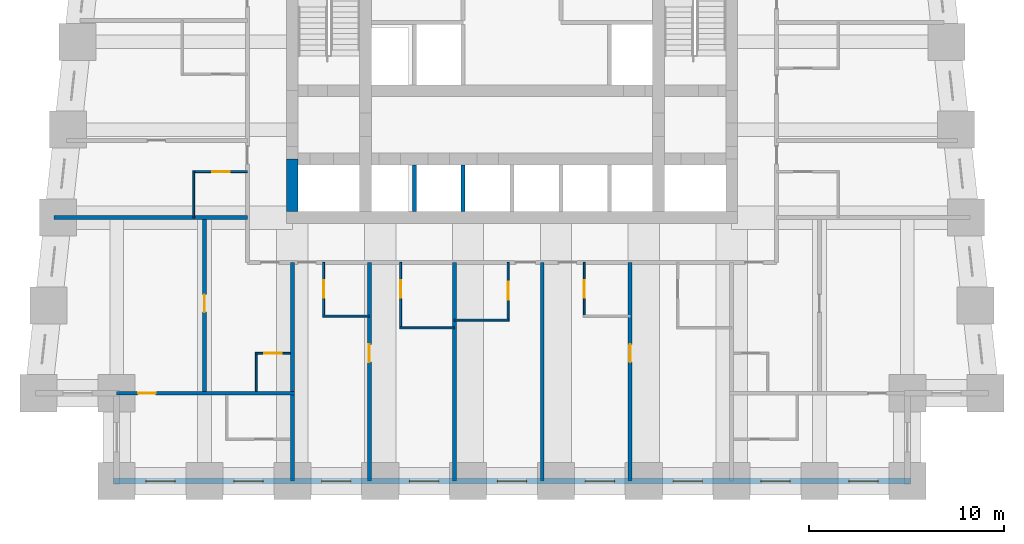
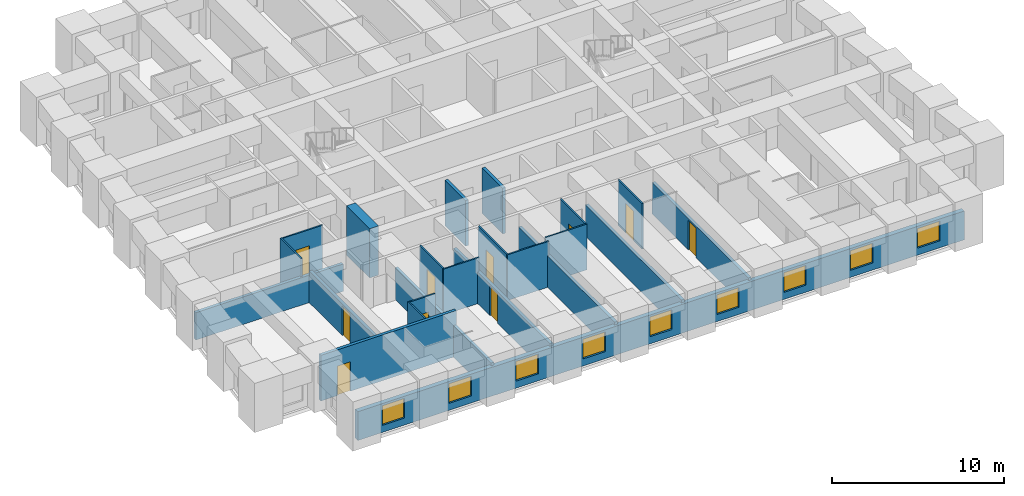
# One storey, part 2 of 8: 23 walls, 10 doors, 9 windows, 19 openings.
"""IFC4 building model written with IfcOpenShell, lengths in metres."""

from ifc_helpers import new_model, si_unit, direction, frame, frame_2d, origin, place, context, subcontext, project, spatial, rectangle, extrude, material, layer, layer_set, type_object, element, fill, save


model = new_model("IFC4")

# Units and contexts
model_context = context("Model", 3, precision=1e-05, world=origin(), true_north=direction((0.0, 1.0)))
body_context = subcontext(model_context, "Body", "Model", "MODEL_VIEW")
ifc_project = project(units=[si_unit("LENGTHUNIT", "METRE"), si_unit("AREAUNIT", "SQUARE_METRE"), si_unit("VOLUMEUNIT", "CUBIC_METRE"), si_unit("PLANEANGLEUNIT", "RADIAN"), si_unit("MASSUNIT", "GRAM", prefix="KILO")], contexts=[model_context])

# Site, building, storey
site_placement = place(None, origin())
site = spatial("IfcSite", under=ifc_project, at=site_placement, CompositionType="ELEMENT")
building_placement = place(site_placement, origin())
building = spatial("IfcBuilding", under=site, at=building_placement, Name="Kilele Tower Hotel", CompositionType="ELEMENT")
storey_placement = place(building_placement, frame((0.0, 0.0, 57.699951171875)))
storey = spatial("IfcBuildingStorey", under=building, at=storey_placement, Name="L13", CompositionType="ELEMENT", Elevation=57.699951171875)

# Wall
ifc_material_1 = material(Name="Moisture-resistant board")
ifc_layer_1 = layer(ifc_material_1, 0.10009765625)
ifc_layer_set_1 = layer_set([ifc_layer_1], Name="Moisture-resistant board")
wall_type_1 = type_object("IfcWallType", Name="Bathroom partition 100", PredefinedType="PLUMBINGWALL", material=ifc_layer_set_1)
wall_1_placement = place(storey_placement, frame((15.050048828125, 8.449951171875, 0.0), z_axis=(0.0, 0.0, 1.0), x_axis=(1.0, 0.0, 0.0)))
element("IfcWall", 1, at=wall_1_placement, inside=storey, type_object=wall_type_1, Name="Bathroom partition 100 L13", PredefinedType="PLUMBINGWALL", context=body_context, shape_type="SweptSolid", body=[
    extrude(rectangle(XDim=2.39990234375, YDim=0.10009765625, at=frame_2d((1.199951171875, 0.0))), origin(), (0.0, 0.0, 1.0), 3.25),
])

# Wall, opening, door
wall_2_placement = place(storey_placement, frame((15.10009765625, 11.199951171875, 0.0), z_axis=(0.0, 0.0, 1.0), x_axis=(0.0, -1.0, 0.0)))
wall_2 = element("IfcWall", 2, at=wall_2_placement, inside=storey, type_object=wall_type_1, Name="Bathroom partition 100 L13", PredefinedType="PLUMBINGWALL", context=body_context, shape_type="SweptSolid", body=[
    extrude(rectangle(XDim=2.800048828125, YDim=0.10009765625, at=frame_2d((1.39990234375, 0.0))), origin(), (0.0, 0.0, 1.0), 3.25),
])
opening_1_placement = place(wall_2_placement, frame((1.7998046875, 0.0, 0.0), z_axis=(0.0, 0.0, 1.0), x_axis=(-1.0, 0.0, 0.0)))
opening_1 = element("IfcOpeningElement", 3, at=opening_1_placement, cuts=wall_2, Name="Opening D2A", PredefinedType="OPENING", context=body_context, shape_type="SweptSolid", body=[
    extrude(rectangle(XDim=0.89990234375, YDim=2.10009765625, at=frame_2d((0.449951171875, 1.050048828125))), frame((0.0, 0.06005859375, 0.0), z_axis=(0.0, -1.0, 0.0), x_axis=(1.0, 0.0, 0.0)), (0.0, 0.0, 1.0), 0.1201171875),
])
ifc_material_2 = material(Name="Timber door leaf in hardwood frame", Category="wood")
door_type_1 = type_object("IfcDoorType", Name="Bathroom door 900", OperationType="SINGLE_SWING_LEFT", PredefinedType="DOOR", material=ifc_material_2)
door_1_placement = place(opening_1_placement, origin())
door_1 = element("IfcDoor", 4, at=door_1_placement, inside=storey, type_object=door_type_1, Name="Bathroom door 1301B", OperationType="SINGLE_SWING_RIGHT", OverallHeight=2.10009765625, OverallWidth=0.89990234375, PredefinedType="DOOR", context=body_context, shape_type="SweptSolid", body=[
    extrude(rectangle(XDim=0.89990234375, YDim=2.10009765625, at=frame_2d((0.449951171875, 1.050048828125))), frame((0.0, 0.02490234375, 0.0), z_axis=(0.0, -1.0, 0.0), x_axis=(1.0, 0.0, 0.0)), (0.0, 0.0, 1.0), 0.050048828125),
])
fill(opening_1, door_1)

# Wall
wall_3_placement = place(storey_placement, frame((19.0, 7.85009765625, 0.0), z_axis=(0.0, 0.0, 1.0), x_axis=(1.0, 0.0, 0.0)))
element("IfcWall", 5, at=wall_3_placement, inside=storey, type_object=wall_type_1, Name="Bathroom partition 100 L13", PredefinedType="PLUMBINGWALL", context=body_context, shape_type="SweptSolid", body=[
    extrude(rectangle(XDim=2.800048828125, YDim=0.10009765625, at=frame_2d((1.39990234375, 0.0))), origin(), (0.0, 0.0, 1.0), 3.25),
])

# Wall, opening, door
wall_4_placement = place(storey_placement, frame((19.050048828125, 11.199951171875, 0.0), z_axis=(0.0, 0.0, 1.0), x_axis=(0.0, -1.0, 0.0)))
wall_4 = element("IfcWall", 6, at=wall_4_placement, inside=storey, type_object=wall_type_1, Name="Bathroom partition 100 L13", PredefinedType="PLUMBINGWALL", context=body_context, shape_type="SweptSolid", body=[
    extrude(rectangle(XDim=3.39990234375, YDim=0.10009765625, at=frame_2d((1.699951171875, 0.0))), origin(), (0.0, 0.0, 1.0), 3.25),
])
opening_2_placement = place(wall_4_placement, frame((1.7998046875, 0.0, 0.0), z_axis=(0.0, 0.0, 1.0), x_axis=(-1.0, 0.0, 0.0)))
opening_2 = element("IfcOpeningElement", 7, at=opening_2_placement, cuts=wall_4, Name="Opening D2A", PredefinedType="OPENING", context=body_context, shape_type="SweptSolid", body=[
    extrude(rectangle(XDim=0.89990234375, YDim=2.10009765625, at=frame_2d((0.449951171875, 1.050048828125))), frame((0.0, 0.06005859375, 0.0), z_axis=(0.0, -1.0, 0.0), x_axis=(1.0, 0.0, 0.0)), (0.0, 0.0, 1.0), 0.1201171875),
])
door_2_placement = place(opening_2_placement, origin())
door_2 = element("IfcDoor", 8, at=door_2_placement, inside=storey, type_object=door_type_1, Name="Bathroom door 1302B", OperationType="SINGLE_SWING_RIGHT", OverallHeight=2.10009765625, OverallWidth=0.89990234375, PredefinedType="DOOR", context=body_context, shape_type="SweptSolid", body=[
    extrude(rectangle(XDim=0.89990234375, YDim=2.10009765625, at=frame_2d((0.449951171875, 1.050048828125))), frame((0.0, 0.02490234375, 0.0), z_axis=(0.0, -1.0, 0.0), x_axis=(1.0, 0.0, 0.0)), (0.0, 0.0, 1.0), 0.050048828125),
])
fill(opening_2, door_2)

# Wall
wall_5_placement = place(storey_placement, frame((21.800048828125, 8.25, 0.0), z_axis=(0.0, 0.0, 1.0), x_axis=(1.0, 0.0, 0.0)))
element("IfcWall", 9, at=wall_5_placement, inside=storey, type_object=wall_type_1, Name="Bathroom partition 100 L13", PredefinedType="PLUMBINGWALL", context=body_context, shape_type="SweptSolid", body=[
    extrude(rectangle(XDim=2.800048828125, YDim=0.10009765625, at=frame_2d((1.39990234375, 0.0))), origin(), (0.0, 0.0, 1.0), 3.25),
])

# Wall, opening, door
wall_6_placement = place(storey_placement, frame((24.550048828125, 11.199951171875, 0.0), z_axis=(0.0, 0.0, 1.0), x_axis=(0.0, -1.0, 0.0)))
wall_6 = element("IfcWall", 10, at=wall_6_placement, inside=storey, type_object=wall_type_1, Name="Bathroom partition 100 L13", PredefinedType="PLUMBINGWALL", context=body_context, shape_type="SweptSolid", body=[
    extrude(rectangle(XDim=3.0, YDim=0.10009765625, at=frame_2d((1.5, 0.0))), origin(), (0.0, 0.0, 1.0), 3.25),
])
opening_3_placement = place(wall_6_placement, frame((1.0, 0.0, 0.0)))
opening_3 = element("IfcOpeningElement", 11, at=opening_3_placement, cuts=wall_6, Name="Opening D2A", PredefinedType="OPENING", context=body_context, shape_type="SweptSolid", body=[
    extrude(rectangle(XDim=0.89990234375, YDim=2.10009765625, at=frame_2d((0.449951171875, 1.050048828125))), frame((0.0, 0.06005859375, 0.0), z_axis=(0.0, -1.0, 0.0), x_axis=(1.0, 0.0, 0.0)), (0.0, 0.0, 1.0), 0.1201171875),
])
door_3_placement = place(opening_3_placement, origin())
door_3 = element("IfcDoor", 12, at=door_3_placement, inside=storey, type_object=door_type_1, Name="Bathroom door 1303B", OperationType="SINGLE_SWING_LEFT", OverallHeight=2.10009765625, OverallWidth=0.89990234375, PredefinedType="DOOR", context=body_context, shape_type="SweptSolid", body=[
    extrude(rectangle(XDim=0.89990234375, YDim=2.10009765625, at=frame_2d((0.449951171875, 1.050048828125))), frame((0.0, 0.02490234375, 0.0), z_axis=(0.0, -1.0, 0.0), x_axis=(1.0, 0.0, 0.0)), (0.0, 0.0, 1.0), 0.050048828125),
])
fill(opening_3, door_3)

wall_7_placement = place(storey_placement, frame((28.449951171875, 11.199951171875, 0.0), z_axis=(0.0, 0.0, 1.0), x_axis=(0.0, -1.0, 0.0)))
wall_7 = element("IfcWall", 13, at=wall_7_placement, inside=storey, type_object=wall_type_1, Name="Bathroom partition 100 L13", PredefinedType="PLUMBINGWALL", context=body_context, shape_type="SweptSolid", body=[
    extrude(rectangle(XDim=2.800048828125, YDim=0.10009765625, at=frame_2d((1.39990234375, 0.0))), origin(), (0.0, 0.0, 1.0), 3.25),
])
opening_4_placement = place(wall_7_placement, frame((1.7998046875, 0.0, 0.0), z_axis=(0.0, 0.0, 1.0), x_axis=(-1.0, 0.0, 0.0)))
opening_4 = element("IfcOpeningElement", 14, at=opening_4_placement, cuts=wall_7, Name="Opening D2A", PredefinedType="OPENING", context=body_context, shape_type="SweptSolid", body=[
    extrude(rectangle(XDim=0.89990234375, YDim=2.10009765625, at=frame_2d((0.449951171875, 1.050048828125))), frame((0.0, 0.06005859375, 0.0), z_axis=(0.0, -1.0, 0.0), x_axis=(1.0, 0.0, 0.0)), (0.0, 0.0, 1.0), 0.1201171875),
])
door_4_placement = place(opening_4_placement, origin())
door_4 = element("IfcDoor", 15, at=door_4_placement, inside=storey, type_object=door_type_1, Name="Bathroom door 1304B", OperationType="SINGLE_SWING_RIGHT", OverallHeight=2.10009765625, OverallWidth=0.89990234375, PredefinedType="DOOR", context=body_context, shape_type="SweptSolid", body=[
    extrude(rectangle(XDim=0.89990234375, YDim=2.10009765625, at=frame_2d((0.449951171875, 1.050048828125))), frame((0.0, 0.02490234375, 0.0), z_axis=(0.0, -1.0, 0.0), x_axis=(1.0, 0.0, 0.0)), (0.0, 0.0, 1.0), 0.050048828125),
])
fill(opening_4, door_4)

# Wall
wall_8_placement = place(storey_placement, frame((8.449951171875, 13.5, 0.0), z_axis=(0.0, 0.0, 1.0), x_axis=(0.0, 1.0, 0.0)))
element("IfcWall", 16, at=wall_8_placement, inside=storey, type_object=wall_type_1, Name="Bathroom partition 100 L13", PredefinedType="PLUMBINGWALL", context=body_context, shape_type="SweptSolid", body=[
    extrude(rectangle(XDim=2.39990234375, YDim=0.10009765625, at=frame_2d((1.199951171875, 0.0))), origin(), (0.0, 0.0, 1.0), 3.25),
])

# Wall, opening, door
wall_9_placement = place(storey_placement, frame((11.199951171875, 15.85009765625, 0.0), z_axis=(0.0, 0.0, 1.0), x_axis=(-1.0, 0.0, 0.0)))
wall_9 = element("IfcWall", 17, at=wall_9_placement, inside=storey, type_object=wall_type_1, Name="Bathroom partition 100 L13", PredefinedType="PLUMBINGWALL", context=body_context, shape_type="SweptSolid", body=[
    extrude(rectangle(XDim=2.800048828125, YDim=0.10009765625, at=frame_2d((1.39990234375, 0.0))), origin(), (0.0, 0.0, 1.0), 3.25),
])
opening_5_placement = place(wall_9_placement, frame((1.7998046875, 0.0, 0.0), z_axis=(0.0, 0.0, 1.0), x_axis=(-1.0, 0.0, 0.0)))
opening_5 = element("IfcOpeningElement", 18, at=opening_5_placement, cuts=wall_9, Name="Opening D2A", PredefinedType="OPENING", context=body_context, shape_type="SweptSolid", body=[
    extrude(rectangle(XDim=0.89990234375, YDim=2.10009765625, at=frame_2d((0.449951171875, 1.050048828125))), frame((0.0, 0.06005859375, 0.0), z_axis=(0.0, -1.0, 0.0), x_axis=(1.0, 0.0, 0.0)), (0.0, 0.0, 1.0), 0.1201171875),
])
door_5_placement = place(opening_5_placement, origin())
door_5 = element("IfcDoor", 19, at=door_5_placement, inside=storey, type_object=door_type_1, Name="Bathroom door 1314B", OperationType="SINGLE_SWING_RIGHT", OverallHeight=2.10009765625, OverallWidth=0.89990234375, PredefinedType="DOOR", context=body_context, shape_type="SweptSolid", body=[
    extrude(rectangle(XDim=0.89990234375, YDim=2.10009765625, at=frame_2d((0.449951171875, 1.050048828125))), frame((0.0, 0.02490234375, 0.0), z_axis=(0.0, -1.0, 0.0), x_axis=(1.0, 0.0, 0.0)), (0.0, 0.0, 1.0), 0.050048828125),
])
fill(opening_5, door_5)

# Wall
wall_10_placement = place(storey_placement, frame((11.64990234375, 4.60009765625, 0.0), z_axis=(0.0, 0.0, 1.0), x_axis=(0.0, 1.0, 0.0)))
element("IfcWall", 20, at=wall_10_placement, inside=storey, type_object=wall_type_1, Name="Bathroom partition 100 L13", PredefinedType="PLUMBINGWALL", context=body_context, shape_type="SweptSolid", body=[
    extrude(rectangle(XDim=2.0, YDim=0.10009765625, at=frame_2d((1.0, 0.0))), origin(), (0.0, 0.0, 1.0), 3.25),
])

# Wall, opening, door
wall_11_placement = place(storey_placement, frame((13.39990234375, 6.550048828125, 0.0), z_axis=(0.0, 0.0, 1.0), x_axis=(-1.0, 0.0, 0.0)))
wall_11 = element("IfcWall", 21, at=wall_11_placement, inside=storey, type_object=wall_type_1, Name="Bathroom partition 100 L13", PredefinedType="PLUMBINGWALL", context=body_context, shape_type="SweptSolid", body=[
    extrude(rectangle(XDim=1.7998046875, YDim=0.10009765625, at=frame_2d((0.89990234375, 0.0))), origin(), (0.0, 0.0, 1.0), 3.25),
])
opening_6_placement = place(wall_11_placement, frame((1.349853515625, 0.0, 0.0), z_axis=(0.0, 0.0, 1.0), x_axis=(-1.0, 0.0, 0.0)))
opening_6 = element("IfcOpeningElement", 22, at=opening_6_placement, cuts=wall_11, Name="Opening D2A", PredefinedType="OPENING", context=body_context, shape_type="SweptSolid", body=[
    extrude(rectangle(XDim=0.89990234375, YDim=2.10009765625, at=frame_2d((0.449951171875, 1.050048828125))), frame((0.0, 0.06005859375, 0.0), z_axis=(0.0, -1.0, 0.0), x_axis=(1.0, 0.0, 0.0)), (0.0, 0.0, 1.0), 0.1201171875),
])
door_6_placement = place(opening_6_placement, origin())
door_6 = element("IfcDoor", 23, at=door_6_placement, inside=storey, type_object=door_type_1, Name="Bathroom door 1317P", OperationType="SINGLE_SWING_RIGHT", OverallHeight=2.10009765625, OverallWidth=0.89990234375, PredefinedType="DOOR", context=body_context, shape_type="SweptSolid", body=[
    extrude(rectangle(XDim=0.89990234375, YDim=2.10009765625, at=frame_2d((0.449951171875, 1.050048828125))), frame((0.0, 0.02490234375, 0.0), z_axis=(0.0, -1.0, 0.0), x_axis=(1.0, 0.0, 0.0)), (0.0, 0.0, 1.0), 0.050048828125),
])
fill(opening_6, door_6)

# Wall
ifc_material_3 = material(Name="Concrete C60/75", Category="concrete")
ifc_layer_2 = layer(ifc_material_3, 0.60009765625)
ifc_layer_set_2 = layer_set([ifc_layer_2], Name="Concrete C60/75")
wall_type_2 = type_object("IfcWallType", Name="Core wall 600 C60/75", PredefinedType="SHEAR", material=ifc_layer_set_2)
wall_12_placement = place(storey_placement, frame((13.5, 16.5, 0.0), z_axis=(0.0, 0.0, 1.0), x_axis=(0.0, -1.0, 0.0)))
element("IfcWall", 24, at=wall_12_placement, inside=storey, type_object=wall_type_2, Name="Core wall W3 L13", PredefinedType="SHEAR", context=body_context, shape_type="SweptSolid", body=[
    extrude(rectangle(XDim=2.699951171875, YDim=0.60009765625, at=frame_2d((1.35009765625, 0.0))), origin(), (0.0, 0.0, 1.0), 3.5),
])

# Wall, opening, door
ifc_material_4 = material(Name="Blockwork, plastered both sides", Category="masonry")
ifc_layer_3 = layer(ifc_material_4, 0.199951171875)
ifc_layer_set_3 = layer_set([ifc_layer_3], Name="Blockwork, plastered both sides")
wall_type_3 = type_object("IfcWallType", Name="Partition wall 200", PredefinedType="PARTITIONING", material=ifc_layer_set_3)
wall_13_placement = place(storey_placement, frame((9.0, 4.60009765625, 0.0), z_axis=(0.0, 0.0, 1.0), x_axis=(0.0, 1.0, 0.0)))
wall_13 = element("IfcWall", 25, at=wall_13_placement, inside=storey, type_object=wall_type_3, Name="Partition wall 200 L13", PredefinedType="PARTITIONING", context=body_context, shape_type="SweptSolid", body=[
    extrude(rectangle(XDim=8.7998046875, YDim=0.199951171875, at=frame_2d((4.39990234375, 0.0))), origin(), (0.0, 0.0, 1.0), 2.25),
])
opening_7_placement = place(wall_13_placement, frame((4.050048828125, 0.0, 0.0)))
opening_7 = element("IfcOpeningElement", 26, at=opening_7_placement, cuts=wall_13, Name="Opening D3", PredefinedType="OPENING", context=body_context, shape_type="SweptSolid", body=[
    extrude(rectangle(XDim=0.89990234375, YDim=2.10009765625, at=frame_2d((0.449951171875, 1.050048828125))), frame((0.0, 0.10986328125, 0.0), z_axis=(0.0, -1.0, 0.0), x_axis=(1.0, 0.0, 0.0)), (0.0, 0.0, 1.0), 0.219970703125),
])
ifc_material_5 = material(Name="Timber door leaf in hardwood frame", Category="wood")
door_type_2 = type_object("IfcDoorType", Name="Suite internal door 900", OperationType="SINGLE_SWING_LEFT", PredefinedType="DOOR", material=ifc_material_5)
door_7_placement = place(opening_7_placement, origin())
door_7 = element("IfcDoor", 27, at=door_7_placement, inside=storey, type_object=door_type_2, Name="Suite door 1318", OperationType="SINGLE_SWING_RIGHT", OverallHeight=2.10009765625, OverallWidth=0.89990234375, PredefinedType="DOOR", context=body_context, shape_type="SweptSolid", body=[
    extrude(rectangle(XDim=0.89990234375, YDim=2.10009765625, at=frame_2d((0.449951171875, 1.050048828125))), frame((0.0, 0.02490234375, 0.0), z_axis=(0.0, -1.0, 0.0), x_axis=(1.0, 0.0, 0.0)), (0.0, 0.0, 1.0), 0.050048828125),
])
fill(opening_7, door_7)

ifc_material_6 = material(Name="Blockwork, plastered both sides", Category="masonry")
ifc_layer_4 = layer(ifc_material_6, 0.199951171875)
ifc_layer_set_4 = layer_set([ifc_layer_4], Name="Blockwork, plastered both sides")
wall_type_4 = type_object("IfcWallType", Name="Party wall 200", PredefinedType="PARTITIONING", material=ifc_layer_set_4)
wall_14_placement = place(storey_placement, frame((17.449951171875, 11.199951171875, 0.0), z_axis=(0.0, 0.0, 1.0), x_axis=(0.0, -1.0, 0.0)))
wall_14 = element("IfcWall", 28, at=wall_14_placement, inside=storey, type_object=wall_type_4, Name="Party wall 200 L13", PredefinedType="PARTITIONING", context=body_context, shape_type="SweptSolid", body=[
    extrude(rectangle(XDim=11.199951171875, YDim=0.199951171875, at=frame_2d((5.60009765625, 0.0))), origin(), (0.0, 0.0, 1.0), 2.25),
])
opening_8_placement = place(wall_14_placement, frame((5.099853515625, 0.0, 0.0), z_axis=(0.0, 0.0, 1.0), x_axis=(-1.0, 0.0, 0.0)))
opening_8 = element("IfcOpeningElement", 29, at=opening_8_placement, cuts=wall_14, Name="Opening D3", PredefinedType="OPENING", context=body_context, shape_type="SweptSolid", body=[
    extrude(rectangle(XDim=0.89990234375, YDim=2.10009765625, at=frame_2d((0.449951171875, 1.050048828125))), frame((0.0, 0.10986328125, 0.0), z_axis=(0.0, -1.0, 0.0), x_axis=(1.0, 0.0, 0.0)), (0.0, 0.0, 1.0), 0.219970703125),
])
door_8_placement = place(opening_8_placement, origin())
door_8 = element("IfcDoor", 30, at=door_8_placement, inside=storey, type_object=door_type_2, Name="Suite door 1302", OperationType="SINGLE_SWING_RIGHT", OverallHeight=2.10009765625, OverallWidth=0.89990234375, PredefinedType="DOOR", context=body_context, shape_type="SweptSolid", body=[
    extrude(rectangle(XDim=0.89990234375, YDim=2.10009765625, at=frame_2d((0.449951171875, 1.050048828125))), frame((0.0, 0.02490234375, 0.0), z_axis=(0.0, -1.0, 0.0), x_axis=(1.0, 0.0, 0.0)), (0.0, 0.0, 1.0), 0.050048828125),
])
fill(opening_8, door_8)

# Walls
for number, where, z_axis, x_axis, name in (
    (31, (21.800048828125, 11.199951171875, 0.0), (0.0, 0.0, 1.0), (0.0, -1.0, 0.0), "Party wall 200 L13"),
    (32, (26.300048828125, 11.199951171875, 0.0), (0.0, 0.0, 1.0), (0.0, -1.0, 0.0), "Party wall 200 L13"),
):
    element("IfcWall", number, at=place(storey_placement, frame(where, z_axis=z_axis, x_axis=x_axis)), inside=storey, type_object=wall_type_4, Name=name, PredefinedType="PARTITIONING", context=body_context, shape_type="SweptSolid", body=[
        extrude(rectangle(XDim=11.199951171875, YDim=0.199951171875, at=frame_2d((5.60009765625, 0.0))), origin(), (0.0, 0.0, 1.0), 2.25),
    ])

# Wall, opening, door
wall_15_placement = place(storey_placement, frame((30.800048828125, 11.199951171875, 0.0), z_axis=(0.0, 0.0, 1.0), x_axis=(0.0, -1.0, 0.0)))
wall_15 = element("IfcWall", 33, at=wall_15_placement, inside=storey, type_object=wall_type_4, Name="Party wall 200 L13", PredefinedType="PARTITIONING", context=body_context, shape_type="SweptSolid", body=[
    extrude(rectangle(XDim=11.199951171875, YDim=0.199951171875, at=frame_2d((5.60009765625, 0.0))), origin(), (0.0, 0.0, 1.0), 2.25),
])
opening_9_placement = place(wall_15_placement, frame((5.099853515625, 0.0, 0.0), z_axis=(0.0, 0.0, 1.0), x_axis=(-1.0, 0.0, 0.0)))
opening_9 = element("IfcOpeningElement", 34, at=opening_9_placement, cuts=wall_15, Name="Opening D3", PredefinedType="OPENING", context=body_context, shape_type="SweptSolid", body=[
    extrude(rectangle(XDim=0.89990234375, YDim=2.10009765625, at=frame_2d((0.449951171875, 1.050048828125))), frame((0.0, 0.10986328125, 0.0), z_axis=(0.0, -1.0, 0.0), x_axis=(1.0, 0.0, 0.0)), (0.0, 0.0, 1.0), 0.219970703125),
])
door_9_placement = place(opening_9_placement, origin())
door_9 = element("IfcDoor", 35, at=door_9_placement, inside=storey, type_object=door_type_2, Name="Suite door 1305", OperationType="SINGLE_SWING_RIGHT", OverallHeight=2.10009765625, OverallWidth=0.89990234375, PredefinedType="DOOR", context=body_context, shape_type="SweptSolid", body=[
    extrude(rectangle(XDim=0.89990234375, YDim=2.10009765625, at=frame_2d((0.449951171875, 1.050048828125))), frame((0.0, 0.02490234375, 0.0), z_axis=(0.0, -1.0, 0.0), x_axis=(1.0, 0.0, 0.0)), (0.0, 0.0, 1.0), 0.050048828125),
])
fill(opening_9, door_9)

# Walls
wall_16_placement = place(storey_placement, frame((11.199951171875, 13.5, 0.0), z_axis=(0.0, 0.0, 1.0), x_axis=(-1.0, 0.0, 0.0)))
element("IfcWall", 36, at=wall_16_placement, inside=storey, type_object=wall_type_4, Name="Party wall 200 L13", PredefinedType="PARTITIONING", context=body_context, shape_type="SweptSolid", body=[
    extrude(rectangle(XDim=9.921142578125, YDim=0.199951171875, at=frame_2d((4.96044921875, 0.0))), origin(), (0.0, 0.0, 1.0), 1.949951171875),
])
wall_17_placement = place(storey_placement, frame((13.5, 11.199951171875, 0.0), z_axis=(0.0, 0.0, 1.0), x_axis=(0.0, -1.0, 0.0)))
element("IfcWall", 37, at=wall_17_placement, inside=storey, type_object=wall_type_4, Name="Party wall 200 L13", PredefinedType="PARTITIONING", context=body_context, shape_type="SweptSolid", body=[
    extrude(rectangle(XDim=11.199951171875, YDim=0.199951171875, at=frame_2d((5.60009765625, 0.0))), origin(), (0.0, 0.0, 1.0), 2.25),
])

# Wall, opening, door
wall_18_placement = place(storey_placement, frame((13.60009765625, 4.5, 0.0), z_axis=(0.0, 0.0, 1.0), x_axis=(-1.0, 0.0, 0.0)))
wall_18 = element("IfcWall", 38, at=wall_18_placement, inside=storey, type_object=wall_type_4, Name="Party wall 200 L13", PredefinedType="PARTITIONING", context=body_context, shape_type="SweptSolid", body=[
    extrude(rectangle(XDim=9.10009765625, YDim=0.199951171875, at=frame_2d((4.550048828125, 0.0))), origin(), (0.0, 0.0, 1.0), 3.25),
])
opening_10_placement = place(wall_18_placement, frame((7.10009765625, 0.0, 0.0)))
opening_10 = element("IfcOpeningElement", 39, at=opening_10_placement, cuts=wall_18, Name="Opening D3", PredefinedType="OPENING", context=body_context, shape_type="SweptSolid", body=[
    extrude(rectangle(XDim=0.89990234375, YDim=2.10009765625, at=frame_2d((0.449951171875, 1.050048828125))), frame((0.0, 0.10986328125, 0.0), z_axis=(0.0, -1.0, 0.0), x_axis=(1.0, 0.0, 0.0)), (0.0, 0.0, 1.0), 0.219970703125),
])
door_10_placement = place(opening_10_placement, origin())
door_10 = element("IfcDoor", 40, at=door_10_placement, inside=storey, type_object=door_type_2, Name="Suite door 1319", OperationType="SINGLE_SWING_RIGHT", OverallHeight=2.10009765625, OverallWidth=0.89990234375, PredefinedType="DOOR", context=body_context, shape_type="SweptSolid", body=[
    extrude(rectangle(XDim=0.89990234375, YDim=2.10009765625, at=frame_2d((0.449951171875, 1.050048828125))), frame((0.0, 0.02490234375, 0.0), z_axis=(0.0, -1.0, 0.0), x_axis=(1.0, 0.0, 0.0)), (0.0, 0.0, 1.0), 0.050048828125),
])
fill(opening_10, door_10)

# Wall, openings, windows
ifc_material_7 = material(Name="Concrete C40/50 precast", Category="concrete")
ifc_layer_5 = layer(ifc_material_7, 0.260009765625, Name="Precast backing", Category="LoadBearing")
ifc_material_8 = material(Name="Reconstituted stone finish", Category="masonry")
ifc_layer_6 = layer(ifc_material_8, 0.0400390625, Name="Face mix", Category="Finish")
ifc_layer_set_5 = layer_set([ifc_layer_5, ifc_layer_6], Name="Precast concrete C40/50, reconstituted stone finish")
wall_type_5 = type_object("IfcWallType", Name="Precast stone facade wall 300", PredefinedType="STANDARD", material=ifc_layer_set_5)
wall_19_placement = place(storey_placement, frame((4.35009765625, 0.0, 0.0), z_axis=(0.0, 0.0, 1.0), x_axis=(1.0, 0.0, 0.0)))
wall_19 = element("IfcWall", 41, at=wall_19_placement, inside=storey, type_object=wall_type_5, Name="Facade wall L13 edge 3", PredefinedType="STANDARD", context=body_context, shape_type="SweptSolid", body=[
    extrude(rectangle(XDim=40.7998046875, YDim=0.300048828125, at=frame_2d((20.39990234375, 0.0))), origin(), (0.0, 0.0, 1.0), 2.050048828125),
])
opening_11_placement = place(wall_19_placement, frame((1.64990234375, 0.0, 0.5)))
opening_11 = element("IfcOpeningElement", 42, at=opening_11_placement, cuts=wall_19, Name="Opening W1", PredefinedType="OPENING", context=body_context, shape_type="SweptSolid", body=[
    extrude(rectangle(XDim=1.5, YDim=1.39990234375, at=frame_2d((0.75, 0.699951171875))), frame((0.0, 0.159912109375, 0.0), z_axis=(0.0, -1.0, 0.0), x_axis=(1.0, 0.0, 0.0)), (0.0, 0.0, 1.0), 0.320068359375),
])
opening_12_placement = place(wall_19_placement, frame((6.14990234375, 0.0, 0.5)))
opening_12 = element("IfcOpeningElement", 43, at=opening_12_placement, cuts=wall_19, Name="Opening W1", PredefinedType="OPENING", context=body_context, shape_type="SweptSolid", body=[
    extrude(rectangle(XDim=1.5, YDim=1.39990234375, at=frame_2d((0.75, 0.699951171875))), frame((0.0, 0.159912109375, 0.0), z_axis=(0.0, -1.0, 0.0), x_axis=(1.0, 0.0, 0.0)), (0.0, 0.0, 1.0), 0.320068359375),
])
opening_13_placement = place(wall_19_placement, frame((10.64990234375, 0.0, 0.5)))
opening_13 = element("IfcOpeningElement", 44, at=opening_13_placement, cuts=wall_19, Name="Opening W1", PredefinedType="OPENING", context=body_context, shape_type="SweptSolid", body=[
    extrude(rectangle(XDim=1.5, YDim=1.39990234375, at=frame_2d((0.75, 0.699951171875))), frame((0.0, 0.159912109375, 0.0), z_axis=(0.0, -1.0, 0.0), x_axis=(1.0, 0.0, 0.0)), (0.0, 0.0, 1.0), 0.320068359375),
])
opening_14_placement = place(wall_19_placement, frame((15.14990234375, 0.0, 0.5)))
opening_14 = element("IfcOpeningElement", 45, at=opening_14_placement, cuts=wall_19, Name="Opening W1", PredefinedType="OPENING", context=body_context, shape_type="SweptSolid", body=[
    extrude(rectangle(XDim=1.5, YDim=1.39990234375, at=frame_2d((0.75, 0.699951171875))), frame((0.0, 0.159912109375, 0.0), z_axis=(0.0, -1.0, 0.0), x_axis=(1.0, 0.0, 0.0)), (0.0, 0.0, 1.0), 0.320068359375),
])
opening_15_placement = place(wall_19_placement, frame((19.64990234375, 0.0, 0.5)))
opening_15 = element("IfcOpeningElement", 46, at=opening_15_placement, cuts=wall_19, Name="Opening W1", PredefinedType="OPENING", context=body_context, shape_type="SweptSolid", body=[
    extrude(rectangle(XDim=1.5, YDim=1.39990234375, at=frame_2d((0.75, 0.699951171875))), frame((0.0, 0.159912109375, 0.0), z_axis=(0.0, -1.0, 0.0), x_axis=(1.0, 0.0, 0.0)), (0.0, 0.0, 1.0), 0.320068359375),
])
opening_16_placement = place(wall_19_placement, frame((24.14990234375, 0.0, 0.5)))
opening_16 = element("IfcOpeningElement", 47, at=opening_16_placement, cuts=wall_19, Name="Opening W1", PredefinedType="OPENING", context=body_context, shape_type="SweptSolid", body=[
    extrude(rectangle(XDim=1.5, YDim=1.39990234375, at=frame_2d((0.75, 0.699951171875))), frame((0.0, 0.159912109375, 0.0), z_axis=(0.0, -1.0, 0.0), x_axis=(1.0, 0.0, 0.0)), (0.0, 0.0, 1.0), 0.320068359375),
])
opening_17_placement = place(wall_19_placement, frame((28.64990234375, 0.0, 0.5)))
opening_17 = element("IfcOpeningElement", 48, at=opening_17_placement, cuts=wall_19, Name="Opening W1", PredefinedType="OPENING", context=body_context, shape_type="SweptSolid", body=[
    extrude(rectangle(XDim=1.5, YDim=1.39990234375, at=frame_2d((0.75, 0.699951171875))), frame((0.0, 0.159912109375, 0.0), z_axis=(0.0, -1.0, 0.0), x_axis=(1.0, 0.0, 0.0)), (0.0, 0.0, 1.0), 0.320068359375),
])
opening_18_placement = place(wall_19_placement, frame((33.14990234375, 0.0, 0.5)))
opening_18 = element("IfcOpeningElement", 49, at=opening_18_placement, cuts=wall_19, Name="Opening W1", PredefinedType="OPENING", context=body_context, shape_type="SweptSolid", body=[
    extrude(rectangle(XDim=1.5, YDim=1.39990234375, at=frame_2d((0.75, 0.699951171875))), frame((0.0, 0.159912109375, 0.0), z_axis=(0.0, -1.0, 0.0), x_axis=(1.0, 0.0, 0.0)), (0.0, 0.0, 1.0), 0.320068359375),
])
opening_19_placement = place(wall_19_placement, frame((37.64990234375, 0.0, 0.5)))
opening_19 = element("IfcOpeningElement", 50, at=opening_19_placement, cuts=wall_19, Name="Opening W1", PredefinedType="OPENING", context=body_context, shape_type="SweptSolid", body=[
    extrude(rectangle(XDim=1.5, YDim=1.39990234375, at=frame_2d((0.75, 0.699951171875))), frame((0.0, 0.159912109375, 0.0), z_axis=(0.0, -1.0, 0.0), x_axis=(1.0, 0.0, 0.0)), (0.0, 0.0, 1.0), 0.320068359375),
])
ifc_material_9 = material(Name="Aluminium frame, clear double glazing", Category="aluminium")
window_type = type_object("IfcWindowType", Name="Window W1 1500 x 1400", PartitioningType="SINGLE_PANEL", PredefinedType="WINDOW", material=ifc_material_9)
window_1_placement = place(opening_11_placement, origin())
window_1 = element("IfcWindow", 51, at=window_1_placement, inside=storey, type_object=window_type, Name="Window L13", OverallHeight=1.39990234375, OverallWidth=1.5, PartitioningType="SINGLE_PANEL", PredefinedType="WINDOW", context=body_context, shape_type="SweptSolid", body=[
    extrude(rectangle(XDim=1.5, YDim=1.39990234375, at=frame_2d((0.75, 0.699951171875))), frame((0.0, 0.030029296875, 0.0), z_axis=(0.0, -1.0, 0.0), x_axis=(1.0, 0.0, 0.0)), (0.0, 0.0, 1.0), 0.06005859375),
])
fill(opening_11, window_1)
window_2_placement = place(opening_12_placement, origin())
window_2 = element("IfcWindow", 52, at=window_2_placement, inside=storey, type_object=window_type, Name="Window L13", OverallHeight=1.39990234375, OverallWidth=1.5, PartitioningType="SINGLE_PANEL", PredefinedType="WINDOW", context=body_context, shape_type="SweptSolid", body=[
    extrude(rectangle(XDim=1.5, YDim=1.39990234375, at=frame_2d((0.75, 0.699951171875))), frame((0.0, 0.030029296875, 0.0), z_axis=(0.0, -1.0, 0.0), x_axis=(1.0, 0.0, 0.0)), (0.0, 0.0, 1.0), 0.06005859375),
])
fill(opening_12, window_2)
window_3_placement = place(opening_13_placement, origin())
window_3 = element("IfcWindow", 53, at=window_3_placement, inside=storey, type_object=window_type, Name="Window L13", OverallHeight=1.39990234375, OverallWidth=1.5, PartitioningType="SINGLE_PANEL", PredefinedType="WINDOW", context=body_context, shape_type="SweptSolid", body=[
    extrude(rectangle(XDim=1.5, YDim=1.39990234375, at=frame_2d((0.75, 0.699951171875))), frame((0.0, 0.030029296875, 0.0), z_axis=(0.0, -1.0, 0.0), x_axis=(1.0, 0.0, 0.0)), (0.0, 0.0, 1.0), 0.06005859375),
])
fill(opening_13, window_3)
window_4_placement = place(opening_14_placement, origin())
window_4 = element("IfcWindow", 54, at=window_4_placement, inside=storey, type_object=window_type, Name="Window L13", OverallHeight=1.39990234375, OverallWidth=1.5, PartitioningType="SINGLE_PANEL", PredefinedType="WINDOW", context=body_context, shape_type="SweptSolid", body=[
    extrude(rectangle(XDim=1.5, YDim=1.39990234375, at=frame_2d((0.75, 0.699951171875))), frame((0.0, 0.030029296875, 0.0), z_axis=(0.0, -1.0, 0.0), x_axis=(1.0, 0.0, 0.0)), (0.0, 0.0, 1.0), 0.06005859375),
])
fill(opening_14, window_4)
window_5_placement = place(opening_15_placement, origin())
window_5 = element("IfcWindow", 55, at=window_5_placement, inside=storey, type_object=window_type, Name="Window L13", OverallHeight=1.39990234375, OverallWidth=1.5, PartitioningType="SINGLE_PANEL", PredefinedType="WINDOW", context=body_context, shape_type="SweptSolid", body=[
    extrude(rectangle(XDim=1.5, YDim=1.39990234375, at=frame_2d((0.75, 0.699951171875))), frame((0.0, 0.030029296875, 0.0), z_axis=(0.0, -1.0, 0.0), x_axis=(1.0, 0.0, 0.0)), (0.0, 0.0, 1.0), 0.06005859375),
])
fill(opening_15, window_5)
window_6_placement = place(opening_16_placement, origin())
window_6 = element("IfcWindow", 56, at=window_6_placement, inside=storey, type_object=window_type, Name="Window L13", OverallHeight=1.39990234375, OverallWidth=1.5, PartitioningType="SINGLE_PANEL", PredefinedType="WINDOW", context=body_context, shape_type="SweptSolid", body=[
    extrude(rectangle(XDim=1.5, YDim=1.39990234375, at=frame_2d((0.75, 0.699951171875))), frame((0.0, 0.030029296875, 0.0), z_axis=(0.0, -1.0, 0.0), x_axis=(1.0, 0.0, 0.0)), (0.0, 0.0, 1.0), 0.06005859375),
])
fill(opening_16, window_6)
window_7_placement = place(opening_17_placement, origin())
window_7 = element("IfcWindow", 57, at=window_7_placement, inside=storey, type_object=window_type, Name="Window L13", OverallHeight=1.39990234375, OverallWidth=1.5, PartitioningType="SINGLE_PANEL", PredefinedType="WINDOW", context=body_context, shape_type="SweptSolid", body=[
    extrude(rectangle(XDim=1.5, YDim=1.39990234375, at=frame_2d((0.75, 0.699951171875))), frame((0.0, 0.030029296875, 0.0), z_axis=(0.0, -1.0, 0.0), x_axis=(1.0, 0.0, 0.0)), (0.0, 0.0, 1.0), 0.06005859375),
])
fill(opening_17, window_7)
window_8_placement = place(opening_18_placement, origin())
window_8 = element("IfcWindow", 58, at=window_8_placement, inside=storey, type_object=window_type, Name="Window L13", OverallHeight=1.39990234375, OverallWidth=1.5, PartitioningType="SINGLE_PANEL", PredefinedType="WINDOW", context=body_context, shape_type="SweptSolid", body=[
    extrude(rectangle(XDim=1.5, YDim=1.39990234375, at=frame_2d((0.75, 0.699951171875))), frame((0.0, 0.030029296875, 0.0), z_axis=(0.0, -1.0, 0.0), x_axis=(1.0, 0.0, 0.0)), (0.0, 0.0, 1.0), 0.06005859375),
])
fill(opening_18, window_8)
window_9_placement = place(opening_19_placement, origin())
window_9 = element("IfcWindow", 59, at=window_9_placement, inside=storey, type_object=window_type, Name="Window L13", OverallHeight=1.39990234375, OverallWidth=1.5, PartitioningType="SINGLE_PANEL", PredefinedType="WINDOW", context=body_context, shape_type="SweptSolid", body=[
    extrude(rectangle(XDim=1.5, YDim=1.39990234375, at=frame_2d((0.75, 0.699951171875))), frame((0.0, 0.030029296875, 0.0), z_axis=(0.0, -1.0, 0.0), x_axis=(1.0, 0.0, 0.0)), (0.0, 0.0, 1.0), 0.06005859375),
])
fill(opening_19, window_9)

# Walls
ifc_material_10 = material(Name="Blockwork, fire-rated", Category="masonry")
ifc_layer_7 = layer(ifc_material_10, 0.199951171875)
ifc_layer_set_6 = layer_set([ifc_layer_7], Name="Blockwork, fire-rated")
wall_type_6 = type_object("IfcWallType", Name="Shaft wall 200", PredefinedType="PARTITIONING", material=ifc_layer_set_6)
for number, where, z_axis, x_axis, name in (
    (60, (19.75, 13.800048828125, 0.0), (0.0, 0.0, 1.0), (0.0, 1.0, 0.0), "Shaft wall 200 L13"),
    (61, (22.25, 13.800048828125, 0.0), (0.0, 0.0, 1.0), (0.0, 1.0, 0.0), "Shaft wall 200 L13"),
):
    element("IfcWall", number, at=place(storey_placement, frame(where, z_axis=z_axis, x_axis=x_axis)), inside=storey, type_object=wall_type_6, Name=name, PredefinedType="PARTITIONING", context=body_context, shape_type="SweptSolid", body=[
        extrude(rectangle(XDim=2.39990234375, YDim=0.199951171875, at=frame_2d((1.199951171875, 0.0))), origin(), (0.0, 0.0, 1.0), 3.25),
    ])

save(model, "model.ifc")
